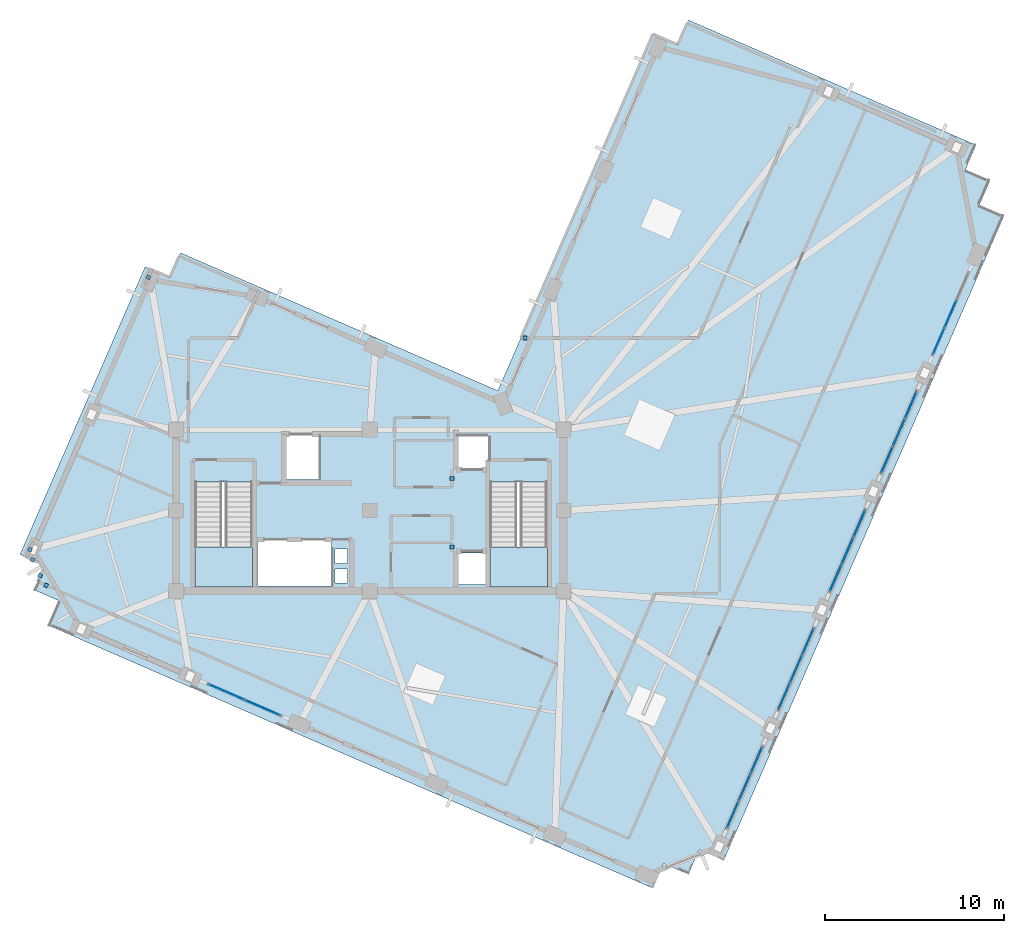
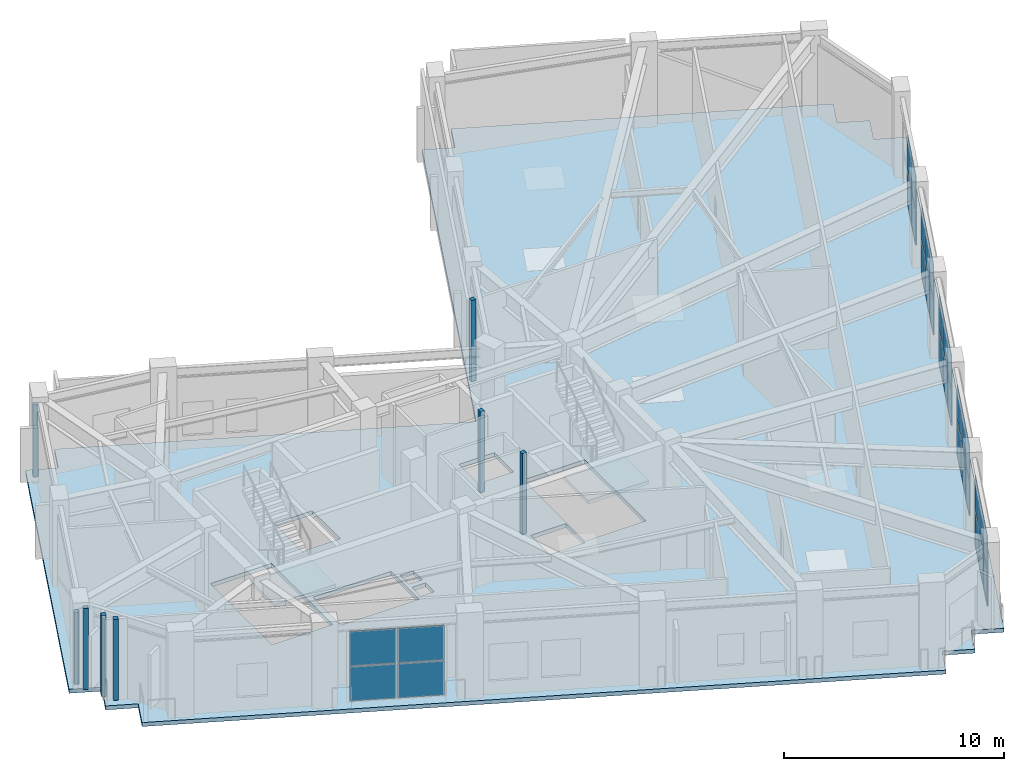
# One storey, part 8 of 16: 40 plates, 3 slabs, 8 elements without a shape of their own.
"""IFC4 building model written with IfcOpenShell, lengths in metres."""

from ifc_helpers import new_model, si_unit, direction, frame, origin, origin_2d, place, context, subcontext, project, spatial, polyline, rectangle, outline, extrude, material, layer, layer_set, type_object, element, aggregate, save


model = new_model("IFC4")

# Units and contexts
model_context = context("Model", 3, precision=1e-05, world=origin(), true_north=direction((0.0, 1.0)))
body_context = subcontext(model_context, "Body", "Model", "MODEL_VIEW")
ifc_project = project(units=[si_unit("LENGTHUNIT", "METRE"), si_unit("AREAUNIT", "SQUARE_METRE"), si_unit("VOLUMEUNIT", "CUBIC_METRE"), si_unit("PLANEANGLEUNIT", "RADIAN"), si_unit("MASSUNIT", "GRAM", prefix="KILO")], contexts=[model_context])

# Site, building, storey
site_placement = place(None, origin())
site = spatial("IfcSite", under=ifc_project, at=site_placement, CompositionType="ELEMENT")
building_placement = place(site_placement, origin())
building = spatial("IfcBuilding", under=site, at=building_placement, Name="Gaonmaruhae Medical Tower", CompositionType="ELEMENT")
storey_placement = place(building_placement, frame((0.0, 0.0, 333.39990234375)))
storey = spatial("IfcBuildingStorey", under=building, at=storey_placement, Name="L80", CompositionType="ELEMENT", Elevation=333.39990234375)

# Curtain wall, plates
ifc_material_1 = material(Name="Anodised aluminium and Low-E double glazing", Category="aluminium")
curtain_wall_type = type_object("IfcCurtainWallType", Name="CW-S5 Observation Crown Panorama Curtain Wall", PredefinedType="NOTDEFINED", material=ifc_material_1)
curtain_wall_1_placement = place(storey_placement, origin())
curtain_wall_1 = element("IfcCurtainWall", 1, at=curtain_wall_1_placement, inside=storey, type_object=curtain_wall_type, Name="L80 Curtain Wall CW-L80-S01", PredefinedType="NOTDEFINED")
ifc_material_2 = material(Name="Low-E double solar glass", Category="glass")
ifc_layer_1 = layer(ifc_material_2, 0.035888671875)
ifc_layer_set_1 = layer_set([ifc_layer_1], Name="Low-E double solar glass")
plate_type_1 = type_object("IfcPlateType", Name="CWP-V2 Acoustic Laminated Crown Vision Panel", PredefinedType="CURTAIN_PANEL", material=ifc_layer_set_1)
plate_1_placement = place(storey_placement, frame((46.3720703125, -1.625732421875, 0.065185546875), z_axis=(0.0, 0.0, 1.0), x_axis=(-0.398731932942, -0.917067525132, 0.0)))
plate_1 = element("IfcPlate", 2, at=plate_1_placement, type_object=plate_type_1, Name="CW-S5 panel 1.1", PredefinedType="CURTAIN_PANEL", context=body_context, shape_type="SweptSolid", body=[
    extrude(rectangle(XDim=1.577392578125, YDim=0.035888671875, at=origin_2d()), origin(), (0.0, 0.0, 1.0), 1.89501953125),
])
plate_2_placement = place(storey_placement, frame((46.3720703125, -1.625732421875, 2.025146484375), z_axis=(0.0, 0.0, 1.0), x_axis=(-0.398731932942, -0.917067525132, 0.0)))
plate_2 = element("IfcPlate", 3, at=plate_2_placement, type_object=plate_type_1, Name="CW-S5 panel 1.2", PredefinedType="CURTAIN_PANEL", context=body_context, shape_type="SweptSolid", body=[
    extrude(rectangle(XDim=1.577392578125, YDim=0.035888671875, at=origin_2d()), origin(), (0.0, 0.0, 1.0), 1.89501953125),
])
plate_3_placement = place(storey_placement, frame((45.710693359375, -3.14697265625, 0.065185546875), z_axis=(0.0, 0.0, 1.0), x_axis=(-0.398731932942, -0.917067525132, 0.0)))
plate_3 = element("IfcPlate", 4, at=plate_3_placement, type_object=plate_type_1, Name="CW-S5 panel 2.1", PredefinedType="CURTAIN_PANEL", context=body_context, shape_type="SweptSolid", body=[
    extrude(rectangle(XDim=1.60986328125, YDim=0.035888671875, at=origin_2d()), origin(), (0.0, 0.0, 1.0), 1.89501953125),
])
plate_4_placement = place(storey_placement, frame((45.710693359375, -3.14697265625, 2.025146484375), z_axis=(0.0, 0.0, 1.0), x_axis=(-0.398731932942, -0.917067525132, 0.0)))
plate_4 = element("IfcPlate", 5, at=plate_4_placement, type_object=plate_type_1, Name="CW-S5 panel 2.2", PredefinedType="CURTAIN_PANEL", context=body_context, shape_type="SweptSolid", body=[
    extrude(rectangle(XDim=1.60986328125, YDim=0.035888671875, at=origin_2d()), origin(), (0.0, 0.0, 1.0), 1.89501953125),
])
plate_5_placement = place(storey_placement, frame((45.04931640625, -4.668212890625, 0.065185546875), z_axis=(0.0, 0.0, 1.0), x_axis=(-0.398731932942, -0.917067525132, 0.0)))
plate_5 = element("IfcPlate", 6, at=plate_5_placement, type_object=plate_type_1, Name="CW-S5 panel 3.1", PredefinedType="CURTAIN_PANEL", context=body_context, shape_type="SweptSolid", body=[
    extrude(rectangle(XDim=1.577392578125, YDim=0.035888671875, at=origin_2d()), origin(), (0.0, 0.0, 1.0), 1.89501953125),
])
plate_6_placement = place(storey_placement, frame((45.04931640625, -4.668212890625, 2.025146484375), z_axis=(0.0, 0.0, 1.0), x_axis=(-0.398731932942, -0.917067525132, 0.0)))
plate_6 = element("IfcPlate", 7, at=plate_6_placement, type_object=plate_type_1, Name="CW-S5 panel 3.2", PredefinedType="CURTAIN_PANEL", context=body_context, shape_type="SweptSolid", body=[
    extrude(rectangle(XDim=1.577392578125, YDim=0.035888671875, at=origin_2d()), origin(), (0.0, 0.0, 1.0), 1.89501953125),
])
aggregate(curtain_wall_1, [plate_1, plate_2, plate_3, plate_4, plate_5, plate_6])

curtain_wall_2_placement = place(storey_placement, origin())
curtain_wall_2 = element("IfcCurtainWall", 8, at=curtain_wall_2_placement, inside=storey, type_object=curtain_wall_type, Name="L80 Curtain Wall CW-L80-S02", PredefinedType="NOTDEFINED")
plate_7_placement = place(storey_placement, frame((49.242919921875, 4.97705078125, 0.065185546875), z_axis=(0.0, 0.0, 1.0), x_axis=(-0.398731932942, -0.917067525132, 0.0)))
plate_7 = element("IfcPlate", 9, at=plate_7_placement, type_object=plate_type_1, Name="CW-S5 panel 1.1", PredefinedType="CURTAIN_PANEL", context=body_context, shape_type="SweptSolid", body=[
    extrude(rectangle(XDim=1.577392578125, YDim=0.035888671875, at=origin_2d()), origin(), (0.0, 0.0, 1.0), 1.89501953125),
])
plate_8_placement = place(storey_placement, frame((49.242919921875, 4.97705078125, 2.025146484375), z_axis=(0.0, 0.0, 1.0), x_axis=(-0.398731932942, -0.917067525132, 0.0)))
plate_8 = element("IfcPlate", 10, at=plate_8_placement, type_object=plate_type_1, Name="CW-S5 panel 1.2", PredefinedType="CURTAIN_PANEL", context=body_context, shape_type="SweptSolid", body=[
    extrude(rectangle(XDim=1.577392578125, YDim=0.035888671875, at=origin_2d()), origin(), (0.0, 0.0, 1.0), 1.89501953125),
])
plate_9_placement = place(storey_placement, frame((48.58154296875, 3.455810546875, 0.065185546875), z_axis=(0.0, 0.0, 1.0), x_axis=(-0.398731932942, -0.917067525132, 0.0)))
plate_9 = element("IfcPlate", 11, at=plate_9_placement, type_object=plate_type_1, Name="CW-S5 panel 2.1", PredefinedType="CURTAIN_PANEL", context=body_context, shape_type="SweptSolid", body=[
    extrude(rectangle(XDim=1.60986328125, YDim=0.035888671875, at=origin_2d()), origin(), (0.0, 0.0, 1.0), 1.89501953125),
])
plate_10_placement = place(storey_placement, frame((48.58154296875, 3.455810546875, 2.025146484375), z_axis=(0.0, 0.0, 1.0), x_axis=(-0.398731932942, -0.917067525132, 0.0)))
plate_10 = element("IfcPlate", 12, at=plate_10_placement, type_object=plate_type_1, Name="CW-S5 panel 2.2", PredefinedType="CURTAIN_PANEL", context=body_context, shape_type="SweptSolid", body=[
    extrude(rectangle(XDim=1.60986328125, YDim=0.035888671875, at=origin_2d()), origin(), (0.0, 0.0, 1.0), 1.89501953125),
])
plate_11_placement = place(storey_placement, frame((47.920166015625, 1.9345703125, 0.065185546875), z_axis=(0.0, 0.0, 1.0), x_axis=(-0.398731932942, -0.917067525132, 0.0)))
plate_11 = element("IfcPlate", 13, at=plate_11_placement, type_object=plate_type_1, Name="CW-S5 panel 3.1", PredefinedType="CURTAIN_PANEL", context=body_context, shape_type="SweptSolid", body=[
    extrude(rectangle(XDim=1.577392578125, YDim=0.035888671875, at=origin_2d()), origin(), (0.0, 0.0, 1.0), 1.89501953125),
])
plate_12_placement = place(storey_placement, frame((47.920166015625, 1.9345703125, 2.025146484375), z_axis=(0.0, 0.0, 1.0), x_axis=(-0.398731932942, -0.917067525132, 0.0)))
plate_12 = element("IfcPlate", 14, at=plate_12_placement, type_object=plate_type_1, Name="CW-S5 panel 3.2", PredefinedType="CURTAIN_PANEL", context=body_context, shape_type="SweptSolid", body=[
    extrude(rectangle(XDim=1.577392578125, YDim=0.035888671875, at=origin_2d()), origin(), (0.0, 0.0, 1.0), 1.89501953125),
])
aggregate(curtain_wall_2, [plate_7, plate_8, plate_9, plate_10, plate_11, plate_12])

curtain_wall_3_placement = place(storey_placement, origin())
curtain_wall_3 = element("IfcCurtainWall", 15, at=curtain_wall_3_placement, inside=storey, type_object=curtain_wall_type, Name="L80 Curtain Wall CW-L80-S03", PredefinedType="NOTDEFINED")
plate_13_placement = place(storey_placement, frame((52.114013671875, 11.579833984375, 0.065185546875), z_axis=(0.0, 0.0, 1.0), x_axis=(-0.398739210052, -0.917064361082, 0.0)))
plate_13 = element("IfcPlate", 16, at=plate_13_placement, type_object=plate_type_1, Name="CW-S5 panel 1.1", PredefinedType="CURTAIN_PANEL", context=body_context, shape_type="SweptSolid", body=[
    extrude(rectangle(XDim=1.577392578125, YDim=0.035888671875, at=origin_2d()), origin(), (0.0, 0.0, 1.0), 1.89501953125),
])
plate_14_placement = place(storey_placement, frame((52.114013671875, 11.579833984375, 2.025146484375), z_axis=(0.0, 0.0, 1.0), x_axis=(-0.398739210052, -0.917064361082, 0.0)))
plate_14 = element("IfcPlate", 17, at=plate_14_placement, type_object=plate_type_1, Name="CW-S5 panel 1.2", PredefinedType="CURTAIN_PANEL", context=body_context, shape_type="SweptSolid", body=[
    extrude(rectangle(XDim=1.577392578125, YDim=0.035888671875, at=origin_2d()), origin(), (0.0, 0.0, 1.0), 1.89501953125),
])
plate_15_placement = place(storey_placement, frame((51.45263671875, 10.05859375, 0.065185546875), z_axis=(0.0, 0.0, 1.0), x_axis=(-0.398739210052, -0.917064361082, 0.0)))
plate_15 = element("IfcPlate", 18, at=plate_15_placement, type_object=plate_type_1, Name="CW-S5 panel 2.1", PredefinedType="CURTAIN_PANEL", context=body_context, shape_type="SweptSolid", body=[
    extrude(rectangle(XDim=1.60986328125, YDim=0.035888671875, at=origin_2d()), origin(), (0.0, 0.0, 1.0), 1.89501953125),
])
plate_16_placement = place(storey_placement, frame((51.45263671875, 10.05859375, 2.025146484375), z_axis=(0.0, 0.0, 1.0), x_axis=(-0.398739210052, -0.917064361082, 0.0)))
plate_16 = element("IfcPlate", 19, at=plate_16_placement, type_object=plate_type_1, Name="CW-S5 panel 2.2", PredefinedType="CURTAIN_PANEL", context=body_context, shape_type="SweptSolid", body=[
    extrude(rectangle(XDim=1.60986328125, YDim=0.035888671875, at=origin_2d()), origin(), (0.0, 0.0, 1.0), 1.89501953125),
])
plate_17_placement = place(storey_placement, frame((50.791259765625, 8.53759765625, 0.065185546875), z_axis=(0.0, 0.0, 1.0), x_axis=(-0.398739210052, -0.917064361082, 0.0)))
plate_17 = element("IfcPlate", 20, at=plate_17_placement, type_object=plate_type_1, Name="CW-S5 panel 3.1", PredefinedType="CURTAIN_PANEL", context=body_context, shape_type="SweptSolid", body=[
    extrude(rectangle(XDim=1.577392578125, YDim=0.035888671875, at=origin_2d()), origin(), (0.0, 0.0, 1.0), 1.89501953125),
])
plate_18_placement = place(storey_placement, frame((50.791259765625, 8.53759765625, 2.025146484375), z_axis=(0.0, 0.0, 1.0), x_axis=(-0.398739210052, -0.917064361082, 0.0)))
plate_18 = element("IfcPlate", 21, at=plate_18_placement, type_object=plate_type_1, Name="CW-S5 panel 3.2", PredefinedType="CURTAIN_PANEL", context=body_context, shape_type="SweptSolid", body=[
    extrude(rectangle(XDim=1.577392578125, YDim=0.035888671875, at=origin_2d()), origin(), (0.0, 0.0, 1.0), 1.89501953125),
])
aggregate(curtain_wall_3, [plate_13, plate_14, plate_15, plate_16, plate_17, plate_18])

curtain_wall_4_placement = place(storey_placement, origin())
curtain_wall_4 = element("IfcCurtainWall", 22, at=curtain_wall_4_placement, inside=storey, type_object=curtain_wall_type, Name="L80 Curtain Wall CW-L80-S04", PredefinedType="NOTDEFINED")
plate_19_placement = place(storey_placement, frame((54.98486328125, 18.1826171875, 0.065185546875), z_axis=(0.0, 0.0, 1.0), x_axis=(-0.398748669551, -0.917060248038, 0.0)))
plate_19 = element("IfcPlate", 23, at=plate_19_placement, type_object=plate_type_1, Name="CW-S5 panel 1.1", PredefinedType="CURTAIN_PANEL", context=body_context, shape_type="SweptSolid", body=[
    extrude(rectangle(XDim=1.577392578125, YDim=0.035888671875, at=origin_2d()), origin(), (0.0, 0.0, 1.0), 1.89501953125),
])
plate_20_placement = place(storey_placement, frame((54.98486328125, 18.1826171875, 2.025146484375), z_axis=(0.0, 0.0, 1.0), x_axis=(-0.398748669551, -0.917060248038, 0.0)))
plate_20 = element("IfcPlate", 24, at=plate_20_placement, type_object=plate_type_1, Name="CW-S5 panel 1.2", PredefinedType="CURTAIN_PANEL", context=body_context, shape_type="SweptSolid", body=[
    extrude(rectangle(XDim=1.577392578125, YDim=0.035888671875, at=origin_2d()), origin(), (0.0, 0.0, 1.0), 1.89501953125),
])
plate_21_placement = place(storey_placement, frame((54.323486328125, 16.66162109375, 0.065185546875), z_axis=(0.0, 0.0, 1.0), x_axis=(-0.398748669551, -0.917060248038, 0.0)))
plate_21 = element("IfcPlate", 25, at=plate_21_placement, type_object=plate_type_1, Name="CW-S5 panel 2.1", PredefinedType="CURTAIN_PANEL", context=body_context, shape_type="SweptSolid", body=[
    extrude(rectangle(XDim=1.610107421875, YDim=0.035888671875, at=origin_2d()), origin(), (0.0, 0.0, 1.0), 1.89501953125),
])
plate_22_placement = place(storey_placement, frame((54.323486328125, 16.66162109375, 2.025146484375), z_axis=(0.0, 0.0, 1.0), x_axis=(-0.398748669551, -0.917060248038, 0.0)))
plate_22 = element("IfcPlate", 26, at=plate_22_placement, type_object=plate_type_1, Name="CW-S5 panel 2.2", PredefinedType="CURTAIN_PANEL", context=body_context, shape_type="SweptSolid", body=[
    extrude(rectangle(XDim=1.610107421875, YDim=0.035888671875, at=origin_2d()), origin(), (0.0, 0.0, 1.0), 1.89501953125),
])
plate_23_placement = place(storey_placement, frame((53.662109375, 15.140380859375, 0.065185546875), z_axis=(0.0, 0.0, 1.0), x_axis=(-0.398748669551, -0.917060248038, 0.0)))
plate_23 = element("IfcPlate", 27, at=plate_23_placement, type_object=plate_type_1, Name="CW-S5 panel 3.1", PredefinedType="CURTAIN_PANEL", context=body_context, shape_type="SweptSolid", body=[
    extrude(rectangle(XDim=1.577392578125, YDim=0.035888671875, at=origin_2d()), origin(), (0.0, 0.0, 1.0), 1.89501953125),
])
plate_24_placement = place(storey_placement, frame((53.662109375, 15.140380859375, 2.025146484375), z_axis=(0.0, 0.0, 1.0), x_axis=(-0.398748669551, -0.917060248038, 0.0)))
plate_24 = element("IfcPlate", 28, at=plate_24_placement, type_object=plate_type_1, Name="CW-S5 panel 3.2", PredefinedType="CURTAIN_PANEL", context=body_context, shape_type="SweptSolid", body=[
    extrude(rectangle(XDim=1.577392578125, YDim=0.035888671875, at=origin_2d()), origin(), (0.0, 0.0, 1.0), 1.89501953125),
])
aggregate(curtain_wall_4, [plate_19, plate_20, plate_21, plate_22, plate_23, plate_24])

curtain_wall_5_placement = place(storey_placement, origin())
curtain_wall_5 = element("IfcCurtainWall", 29, at=curtain_wall_5_placement, inside=storey, type_object=curtain_wall_type, Name="L80 Curtain Wall CW-L80-S05", PredefinedType="NOTDEFINED")
plate_25_placement = place(storey_placement, frame((57.194580078125, 23.264404296875, 0.065185546875), z_axis=(0.0, 0.0, 1.0), x_axis=(-0.398748669551, -0.917060248038, 0.0)))
plate_25 = element("IfcPlate", 30, at=plate_25_placement, type_object=plate_type_1, Name="CW-S5 panel 2.1", PredefinedType="CURTAIN_PANEL", context=body_context, shape_type="SweptSolid", body=[
    extrude(rectangle(XDim=1.610107421875, YDim=0.035888671875, at=origin_2d()), origin(), (0.0, 0.0, 1.0), 1.89501953125),
])
plate_26_placement = place(storey_placement, frame((57.194580078125, 23.264404296875, 2.025146484375), z_axis=(0.0, 0.0, 1.0), x_axis=(-0.398748669551, -0.917060248038, 0.0)))
plate_26 = element("IfcPlate", 31, at=plate_26_placement, type_object=plate_type_1, Name="CW-S5 panel 2.2", PredefinedType="CURTAIN_PANEL", context=body_context, shape_type="SweptSolid", body=[
    extrude(rectangle(XDim=1.610107421875, YDim=0.035888671875, at=origin_2d()), origin(), (0.0, 0.0, 1.0), 1.89501953125),
])
plate_27_placement = place(storey_placement, frame((56.533203125, 21.7431640625, 0.065185546875), z_axis=(0.0, 0.0, 1.0), x_axis=(-0.398748669551, -0.917060248038, 0.0)))
plate_27 = element("IfcPlate", 32, at=plate_27_placement, type_object=plate_type_1, Name="CW-S5 panel 3.1", PredefinedType="CURTAIN_PANEL", context=body_context, shape_type="SweptSolid", body=[
    extrude(rectangle(XDim=1.577392578125, YDim=0.035888671875, at=origin_2d()), origin(), (0.0, 0.0, 1.0), 1.89501953125),
])
plate_28_placement = place(storey_placement, frame((56.533203125, 21.7431640625, 2.025146484375), z_axis=(0.0, 0.0, 1.0), x_axis=(-0.398748669551, -0.917060248038, 0.0)))
plate_28 = element("IfcPlate", 33, at=plate_28_placement, type_object=plate_type_1, Name="CW-S5 panel 3.2", PredefinedType="CURTAIN_PANEL", context=body_context, shape_type="SweptSolid", body=[
    extrude(rectangle(XDim=1.577392578125, YDim=0.035888671875, at=origin_2d()), origin(), (0.0, 0.0, 1.0), 1.89501953125),
])
aggregate(curtain_wall_5, [plate_25, plate_26, plate_27, plate_28])

curtain_wall_6_placement = place(storey_placement, origin())
curtain_wall_6 = element("IfcCurtainWall", 34, at=curtain_wall_6_placement, inside=storey, type_object=curtain_wall_type, Name="L80 Curtain Wall CW-L80-W02", PredefinedType="NOTDEFINED")
plate_29_placement = place(storey_placement, frame((18.827880859375, 1.29052734375, 0.065185546875), z_axis=(0.0, 0.0, 1.0), x_axis=(-0.917055133902, 0.398760431066, 0.0)))
plate_29 = element("IfcPlate", 35, at=plate_29_placement, type_object=plate_type_1, Name="CW-S5 panel 1.1", PredefinedType="CURTAIN_PANEL", context=body_context, shape_type="SweptSolid", body=[
    extrude(rectangle(XDim=2.139892578125, YDim=0.035888671875, at=origin_2d()), origin(), (0.0, 0.0, 1.0), 1.89501953125),
])
plate_30_placement = place(storey_placement, frame((18.827880859375, 1.29052734375, 2.025146484375), z_axis=(0.0, 0.0, 1.0), x_axis=(-0.917055133902, 0.398760431066, 0.0)))
plate_30 = element("IfcPlate", 36, at=plate_30_placement, type_object=plate_type_1, Name="CW-S5 panel 1.2", PredefinedType="CURTAIN_PANEL", context=body_context, shape_type="SweptSolid", body=[
    extrude(rectangle(XDim=2.139892578125, YDim=0.035888671875, at=origin_2d()), origin(), (0.0, 0.0, 1.0), 1.89501953125),
])
plate_31_placement = place(storey_placement, frame((16.805908203125, 2.169677734375, 0.065185546875), z_axis=(0.0, 0.0, 1.0), x_axis=(-0.917055133902, 0.398760431066, 0.0)))
plate_31 = element("IfcPlate", 37, at=plate_31_placement, type_object=plate_type_1, Name="CW-S5 panel 2.1", PredefinedType="CURTAIN_PANEL", context=body_context, shape_type="SweptSolid", body=[
    extrude(rectangle(XDim=2.139892578125, YDim=0.035888671875, at=origin_2d()), origin(), (0.0, 0.0, 1.0), 1.89501953125),
])
plate_32_placement = place(storey_placement, frame((16.805908203125, 2.169677734375, 2.025146484375), z_axis=(0.0, 0.0, 1.0), x_axis=(-0.917055133902, 0.398760431066, 0.0)))
plate_32 = element("IfcPlate", 38, at=plate_32_placement, type_object=plate_type_1, Name="CW-S5 panel 2.2", PredefinedType="CURTAIN_PANEL", context=body_context, shape_type="SweptSolid", body=[
    extrude(rectangle(XDim=2.139892578125, YDim=0.035888671875, at=origin_2d()), origin(), (0.0, 0.0, 1.0), 1.89501953125),
])
aggregate(curtain_wall_6, [plate_29, plate_30, plate_31, plate_32])

# Slab
ifc_material_3 = material(Name="Concrete C40/50", Category="concrete")
ifc_layer_2 = layer(ifc_material_3, 0.219970703125)
ifc_layer_set_2 = layer_set([ifc_layer_2], Name="Concrete C40/50")
slab_type_1 = type_object("IfcSlabType", Name="FS-220 Clinical Ward Composite Floor Slab", PredefinedType="FLOOR", material=ifc_layer_set_2)
slab_1_placement = place(storey_placement, frame((0.0, 0.0, -0.219970703125)))
element("IfcSlab", 39, at=slab_1_placement, inside=storey, type_object=slab_type_1, Name="L80 Structural Slab 1", PredefinedType="FLOOR", context=body_context, shape_type="SweptSolid", body=[
    extrude(outline(polyline([(44.540283203125, -7.218017578125), (60.171142578125, 28.730712890625), (58.795654296875, 29.328857421875), (59.393798828125, 30.70458984375), (58.01806640625, 31.302490234375), (58.6162109375, 32.67822265625), (42.567626953125, 39.65625), (41.969482421875, 38.28076171875), (40.593994140625, 38.87890625), (31.941162109375, 18.978515625), (14.241943359375, 26.674560546875), (13.643798828125, 25.298828125), (12.268310546875, 25.89697265625), (5.2900390625, 9.848388671875), (6.665771484375, 9.25048828125), (6.0673828125, 7.874755859375), (7.443115234375, 7.276611328125), (6.844970703125, 5.901123046875), (40.5927734375, -8.77294921875), (41.19091796875, -7.397216796875), (42.56640625, -7.995361328125), (43.164794921875, -6.619873046875), (44.540283203125, -7.218017578125)]), holes=[polyline([(23.550048828125, 8.25), (22.85009765625, 8.25), (22.85009765625, 9.050048828125), (23.550048828125, 9.050048828125), (23.550048828125, 8.25)]), polyline([(29.574951171875, 9.925048828125), (31.425048828125, 9.925048828125), (31.425048828125, 8.175048828125), (29.574951171875, 8.175048828125), (29.574951171875, 9.925048828125)]), polyline([(18.550048828125, 10.625), (22.64990234375, 10.625), (22.64990234375, 8.074951171875), (18.550048828125, 8.074951171875), (18.550048828125, 10.625)]), polyline([(23.550048828125, 9.35009765625), (22.85009765625, 9.35009765625), (22.85009765625, 10.14990234375), (23.550048828125, 10.14990234375), (23.550048828125, 9.35009765625)]), polyline([(15.050048828125, 13.889892578125), (18.25, 13.889892578125), (18.25, 8.300048828125), (15.050048828125, 8.300048828125), (15.050048828125, 13.889892578125)]), polyline([(31.5, 13.889892578125), (34.699951171875, 13.889892578125), (34.699951171875, 8.300048828125), (31.5, 8.300048828125), (31.5, 13.889892578125)]), polyline([(21.949951171875, 16.574951171875), (21.949951171875, 14.02490234375), (19.949951171875, 14.02490234375), (19.949951171875, 16.574951171875), (21.949951171875, 16.574951171875)]), polyline([(31.425048828125, 16.425048828125), (31.425048828125, 14.675048828125), (29.574951171875, 14.675048828125), (29.574951171875, 16.425048828125), (31.425048828125, 16.425048828125)])]), origin(), (0.0, 0.0, 1.0), 0.219970703125),
])

# Plates
ifc_material_4 = material(Name="Anodised aluminium 6063-T6", Category="aluminium")
ifc_layer_3 = layer(ifc_material_4, 0.011962890625)
ifc_layer_set_3 = layer_set([ifc_layer_3], Name="Anodised aluminium 6063-T6")
plate_type_2 = type_object("IfcPlateType", Name="PP-01 Interior Partition Corner Stiffener Plate", PredefinedType="SHEET", material=ifc_layer_set_3)
for number, where, z_axis, x_axis, name in (
    (40, (29.3798828125, 10.260009765625, 0.0), (0.0, 0.0, 1.0), (0.0, -1.0, 0.0), "L80 Partition Corner Stiffener Plate PLT-L80-JGP-PW003"),
    (41, (29.3798828125, 14.090087890625, 0.0), (0.0, 0.0, 1.0), (0.0, -1.0, 0.0), "L80 Partition Corner Stiffener Plate PLT-L80-JGP-PW009"),
    (42, (33.45703125, 21.919921875, 0.0), (0.0, 0.0, 1.0), (-1.0, 0.0, 0.0), "L80 Partition Corner Stiffener Plate PLT-L80-JGP-PW026"),
):
    element("IfcPlate", number, at=place(storey_placement, frame(where, z_axis=z_axis, x_axis=x_axis)), inside=storey, type_object=plate_type_2, Name=name, PredefinedType="SHEET", context=body_context, shape_type="SweptSolid", body=[
        extrude(rectangle(XDim=0.219970703125, YDim=0.219970703125, at=origin_2d()), origin(), (0.0, 0.0, 1.0), 4.5),
    ])
plate_33_placement = place(storey_placement, frame((5.845947265625, 10.12353515625, 0.0), z_axis=(0.0, 0.0, 1.0), x_axis=(0.39887711078, 0.917004389573, 0.0)))
element("IfcPlate", 43, at=plate_33_placement, inside=storey, type_object=plate_type_2, Name="L80 Partition Corner Stiffener Plate PLT-L80-JGP-PW032", PredefinedType="SHEET", context=body_context, shape_type="SweptSolid", body=[
    extrude(rectangle(XDim=0.219970703125, YDim=0.219970703125, at=origin_2d()), origin(), (0.0, 0.0, 1.0), 3.985107421875),
])
for number, where, z_axis, x_axis, name in (
    (44, (6.7470703125, 8.12451171875, 0.0), (0.0, 0.0, 1.0), (-0.917206161952, 0.398412922077, 0.0), "L80 Partition Corner Stiffener Plate PLT-L80-JGP-PW038"),
    (45, (6.41455078125, 8.67138671875, 0.0), (0.0, 0.0, 1.0), (0.399469203165, 0.916746614787, 0.0), "L80 Partition Corner Stiffener Plate PLT-L80-JGP-PW039"),
    (46, (5.991455078125, 9.54345703125, 0.0), (0.0, 0.0, 1.0), (-0.917004389573, 0.39887711078, 0.0), "L80 Partition Corner Stiffener Plate PLT-L80-JGP-PW040"),
):
    element("IfcPlate", number, at=place(storey_placement, frame(where, z_axis=z_axis, x_axis=x_axis)), inside=storey, type_object=plate_type_2, Name=name, PredefinedType="SHEET", context=body_context, shape_type="SweptSolid", body=[
        extrude(rectangle(XDim=0.219970703125, YDim=0.219970703125, at=origin_2d()), origin(), (0.0, 0.0, 1.0), 4.5),
    ])
plate_34_placement = place(storey_placement, frame((12.446044921875, 25.303466796875, 0.0), z_axis=(0.0, 0.0, 1.0), x_axis=(0.39887711078, 0.917004389573, 0.0)))
element("IfcPlate", 47, at=plate_34_placement, inside=storey, type_object=plate_type_2, Name="L80 Partition Corner Stiffener Plate PLT-L80-JGP-PW046", PredefinedType="SHEET", context=body_context, shape_type="SweptSolid", body=[
    extrude(rectangle(XDim=0.219970703125, YDim=0.219970703125, at=origin_2d()), origin(), (0.0, 0.0, 1.0), 3.985107421875),
])

# Stair, slab
stair_type = type_object("IfcStairType", Name="ST-T1 Primary Core Escape Dogleg Stair", PredefinedType="TWO_QUARTER_TURN_STAIR", material=ifc_material_3)
stair_1_placement = place(storey_placement, origin())
stair_1 = element("IfcStair", 48, at=stair_1_placement, inside=storey, type_object=stair_type, Name="L80 Protected Escape Stair ST-01", PredefinedType="TWO_QUARTER_TURN_STAIR")
ifc_layer_4 = layer(ifc_material_3, 0.199951171875)
ifc_layer_set_4 = layer_set([ifc_layer_4], Name="Concrete C40/50")
slab_type_2 = type_object("IfcSlabType", Name="SL-200 Stair & Ramp Intermediate Concrete Landing", PredefinedType="LANDING", material=ifc_layer_set_4)
slab_2_placement = place(storey_placement, frame((0.0, 0.0, 2.2001953125)))
slab_2 = element("IfcSlab", 49, at=slab_2_placement, type_object=slab_type_2, Name="ST-01 landing 1", PredefinedType="LANDING", context=body_context, shape_type="SweptSolid", body=[
    extrude(outline(polyline([(15.050048828125, 10.260009765625), (15.050048828125, 8.029052734375), (18.25, 8.029052734375), (18.25, 10.260009765625), (15.050048828125, 10.260009765625)])), origin(), (0.0, 0.0, 1.0), 0.199951171875),
])
aggregate(stair_1, [slab_2])

stair_2_placement = place(storey_placement, origin())
stair_2 = element("IfcStair", 50, at=stair_2_placement, inside=storey, type_object=stair_type, Name="L80 Protected Escape Stair ST-02", PredefinedType="TWO_QUARTER_TURN_STAIR")
slab_3_placement = place(storey_placement, frame((0.0, 0.0, 2.2001953125)))
slab_3 = element("IfcSlab", 51, at=slab_3_placement, type_object=slab_type_2, Name="ST-02 landing 1", PredefinedType="LANDING", context=body_context, shape_type="SweptSolid", body=[
    extrude(outline(polyline([(31.5, 10.260009765625), (31.5, 8.029052734375), (34.699951171875, 8.029052734375), (34.699951171875, 10.260009765625), (31.5, 10.260009765625)])), origin(), (0.0, 0.0, 1.0), 0.199951171875),
])
aggregate(stair_2, [slab_3])

save(model, "model.ifc")
